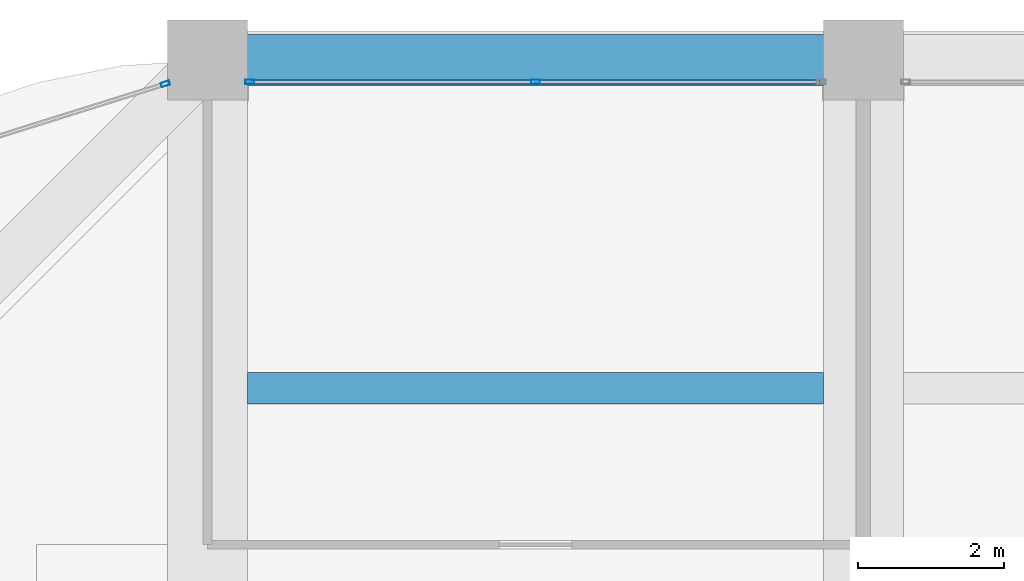
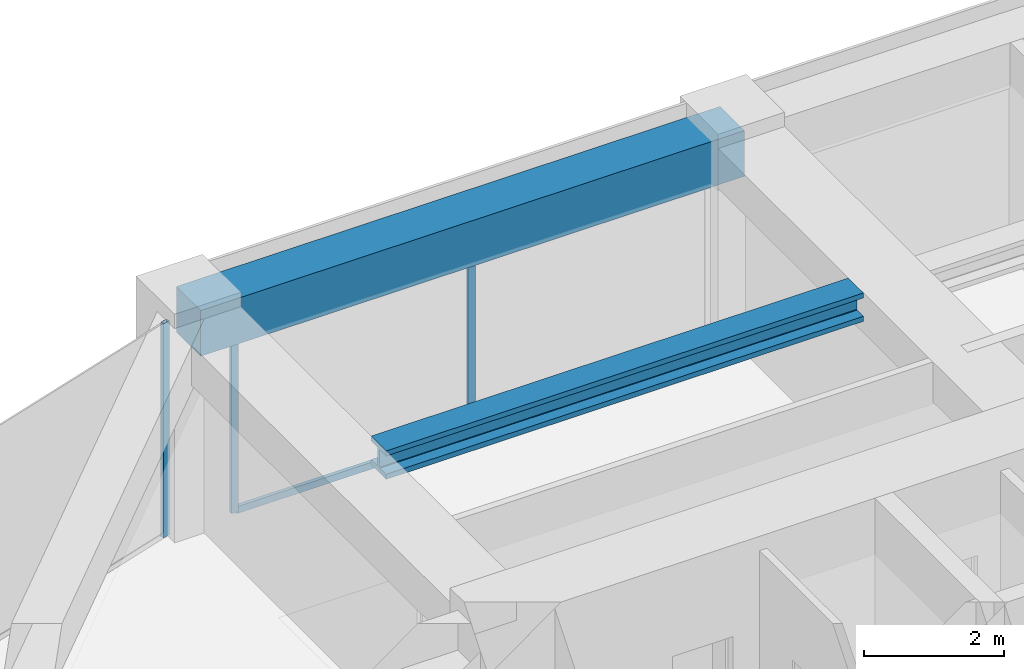
# One storey, part 31 of 45: 4 members, 2 beams, 2 elements without a shape of their own.
"""IFC4 building model written with IfcOpenShell, lengths in metres."""

from ifc_helpers import new_model, si_unit, direction, frame, origin, origin_2d, place, context, subcontext, project, spatial, rectangle, hollow_rectangle, i_section, extrude, material, material_profile, profile_set, type_object, element, aggregate, save


model = new_model("IFC4")

# Units and contexts
model_context = context("Model", 3, precision=1e-05, world=origin(), true_north=direction((0.0, 1.0)))
body_context = subcontext(model_context, "Body", "Model", "MODEL_VIEW")
ifc_project = project(units=[si_unit("LENGTHUNIT", "METRE"), si_unit("AREAUNIT", "SQUARE_METRE"), si_unit("VOLUMEUNIT", "CUBIC_METRE"), si_unit("PLANEANGLEUNIT", "RADIAN"), si_unit("MASSUNIT", "GRAM", prefix="KILO")], contexts=[model_context])

# Site, building, storey
site_placement = place(None, origin())
site = spatial("IfcSite", under=ifc_project, at=site_placement, CompositionType="ELEMENT")
building_placement = place(site_placement, origin())
building = spatial("IfcBuilding", under=site, at=building_placement, Name="Zorevar Civic Tower", CompositionType="ELEMENT")
storey_placement = place(building_placement, frame((0.0, 0.0, 279.39990234375)))
storey = spatial("IfcBuildingStorey", under=building, at=storey_placement, Name="L68", CompositionType="ELEMENT", Elevation=279.39990234375)

# Curtain wall, members
ifc_material_1 = material(Name="Dark grey solar-control glass in black aluminium frame", Category="aluminium")
curtain_wall_type = type_object("IfcCurtainWallType", Name="Curtain wall CW5 top zone", PredefinedType="NOTDEFINED", material=ifc_material_1)
curtain_wall_1_placement = place(storey_placement, origin())
curtain_wall_1 = element("IfcCurtainWall", 1, at=curtain_wall_1_placement, inside=storey, type_object=curtain_wall_type, Name="CW5 L68", PredefinedType="NOTDEFINED")
ifc_material_2 = material(Name="Aluminium, black anodised", Category="aluminium")
ifc_material_profile_1 = material_profile(ifc_material_2, hollow_rectangle(XDim=0.06005859375, YDim=0.1201171875, WallThickness=0.0029296875, at=origin_2d()), Name="AL 120x60x3")
ifc_profile_set_1 = profile_set([ifc_material_profile_1], Name="Aluminium, black anodised")
member_type_1 = type_object("IfcMemberType", Name="CW5 mullion AL 120x60x3", PredefinedType="MULLION", material=ifc_profile_set_1)
member_1_placement = place(storey_placement, frame((18.580078125, 44.699951171875, 0.0), z_axis=(0.0, 0.0, 1.0), x_axis=(0.0, 1.0, 0.0)))
member_1 = element("IfcMember", 2, at=member_1_placement, type_object=member_type_1, Name="CW5 mullion 1", PredefinedType="MULLION", context=body_context, shape_type="SweptSolid", body=[
    extrude(hollow_rectangle(XDim=0.06005859375, YDim=0.1201171875, WallThickness=0.0029296875, at=origin_2d()), origin(), (0.0, 0.0, 1.0), 2.9501953125),
])
member_2_placement = place(storey_placement, frame((22.5, 44.699951171875, 0.06005859375), z_axis=(0.0, 0.0, 1.0), x_axis=(0.0, 1.0, 0.0)))
member_2 = element("IfcMember", 3, at=member_2_placement, type_object=member_type_1, Name="CW5 mullion 2", PredefinedType="MULLION", context=body_context, shape_type="SweptSolid", body=[
    extrude(hollow_rectangle(XDim=0.06005859375, YDim=0.1201171875, WallThickness=0.0029296875, at=origin_2d()), origin(), (0.0, 0.0, 1.0), 2.89013671875),
])

# Curtain wall, member
curtain_wall_2_placement = place(storey_placement, origin())
curtain_wall_2 = element("IfcCurtainWall", 4, at=curtain_wall_2_placement, inside=storey, type_object=curtain_wall_type, Name="CW5 L68", PredefinedType="NOTDEFINED")
member_3_placement = place(storey_placement, frame((17.42138671875, 44.673583984375, 0.0), z_axis=(0.0, 0.0, 1.0), x_axis=(0.299317920238, -0.954153437674, 0.0)))
member_3 = element("IfcMember", 5, at=member_3_placement, type_object=member_type_1, Name="CW5 mullion 1", PredefinedType="MULLION", context=body_context, shape_type="SweptSolid", body=[
    extrude(hollow_rectangle(XDim=0.06005859375, YDim=0.1201171875, WallThickness=0.0029296875, at=origin_2d()), origin(), (0.0, 0.0, 1.0), 3.75),
])
aggregate(curtain_wall_2, [member_3])

# Member
ifc_material_3 = material(Name="Aluminium, black anodised", Category="aluminium")
ifc_material_profile_2 = material_profile(ifc_material_3, hollow_rectangle(XDim=0.06005859375, YDim=0.1201171875, WallThickness=0.0029296875, at=origin_2d()), Name="AL 120x60x3")
ifc_profile_set_2 = profile_set([ifc_material_profile_2], Name="Aluminium, black anodised")
member_type_2 = type_object("IfcMemberType", Name="CW5 transom AL 120x60x3", PredefinedType="USERDEFINED", material=ifc_profile_set_2)
member_4_placement = place(storey_placement, frame((18.610107421875, 44.699951171875, 0.030029296875), z_axis=(1.0, 0.0, 0.0), x_axis=(0.0, 1.0, 0.0)))
member_4 = element("IfcMember", 6, at=member_4_placement, type_object=member_type_2, Name="CW5 sill transom", ObjectType="TRANSOM", PredefinedType="USERDEFINED", context=body_context, shape_type="SweptSolid", body=[
    extrude(hollow_rectangle(XDim=0.06005859375, YDim=0.1201171875, WallThickness=0.0029296875, at=origin_2d()), origin(), (0.0, 0.0, 1.0), 7.77978515625),
])

aggregate(curtain_wall_1, [member_1, member_2, member_4])

# Beams
ifc_material_4 = material(Name="Steel S460M (HISTAR 460)", Category="steel")
ifc_material_profile_3 = material_profile(ifc_material_4, i_section(OverallWidth=0.431884765625, OverallDepth=0.498046875, WebThickness=0.0556640625, FlangeThickness=0.0888671875, FilletRadius=0.014892578125, at=origin_2d()), Name="HD 400x744")
ifc_profile_set_3 = profile_set([ifc_material_profile_3], Name="Steel S460M (HISTAR 460)")
beam_type_1 = type_object("IfcBeamType", Name="Core bay beam HD 400x744", PredefinedType="BEAM", material=ifc_profile_set_3)
beam_1_placement = place(storey_placement, frame((18.550048828125, 40.5, 3.5009765625), z_axis=(1.0, 0.0, 0.0), x_axis=(0.0, 1.0, 0.0)))
element("IfcBeam", 7, at=beam_1_placement, inside=storey, type_object=beam_type_1, Name="Secondary beam L69", PredefinedType="BEAM", context=body_context, shape_type="SweptSolid", body=[
    extrude(i_section(OverallWidth=0.431884765625, OverallDepth=0.498046875, WebThickness=0.0556640625, FlangeThickness=0.0888671875, FilletRadius=0.014892578125, at=origin_2d()), origin(), (0.0, 0.0, 1.0), 7.89990234375),
])
ifc_material_5 = material(Name="Concrete C50/60", Category="concrete")
ifc_material_profile_4 = material_profile(ifc_material_5, rectangle(XDim=0.699951171875, YDim=0.800048828125, at=origin_2d()), Name="RC 700x800")
ifc_profile_set_4 = profile_set([ifc_material_profile_4], Name="Concrete C50/60")
beam_type_2 = type_object("IfcBeamType", Name="Edge beam RC 700x800", PredefinedType="SPANDREL", material=ifc_profile_set_4)
beam_2_placement = place(storey_placement, frame((18.0, 45.0, 3.35009765625), z_axis=(1.0, 0.0, 0.0), x_axis=(0.0, 1.0, 0.0)))
element("IfcBeam", 8, at=beam_2_placement, inside=storey, type_object=beam_type_2, Name="Edge beam L69", PredefinedType="SPANDREL", context=body_context, shape_type="SweptSolid", body=[
    extrude(rectangle(XDim=0.699951171875, YDim=0.800048828125, at=origin_2d()), origin(), (0.0, 0.0, 1.0), 9.0),
])

save(model, "model.ifc")
